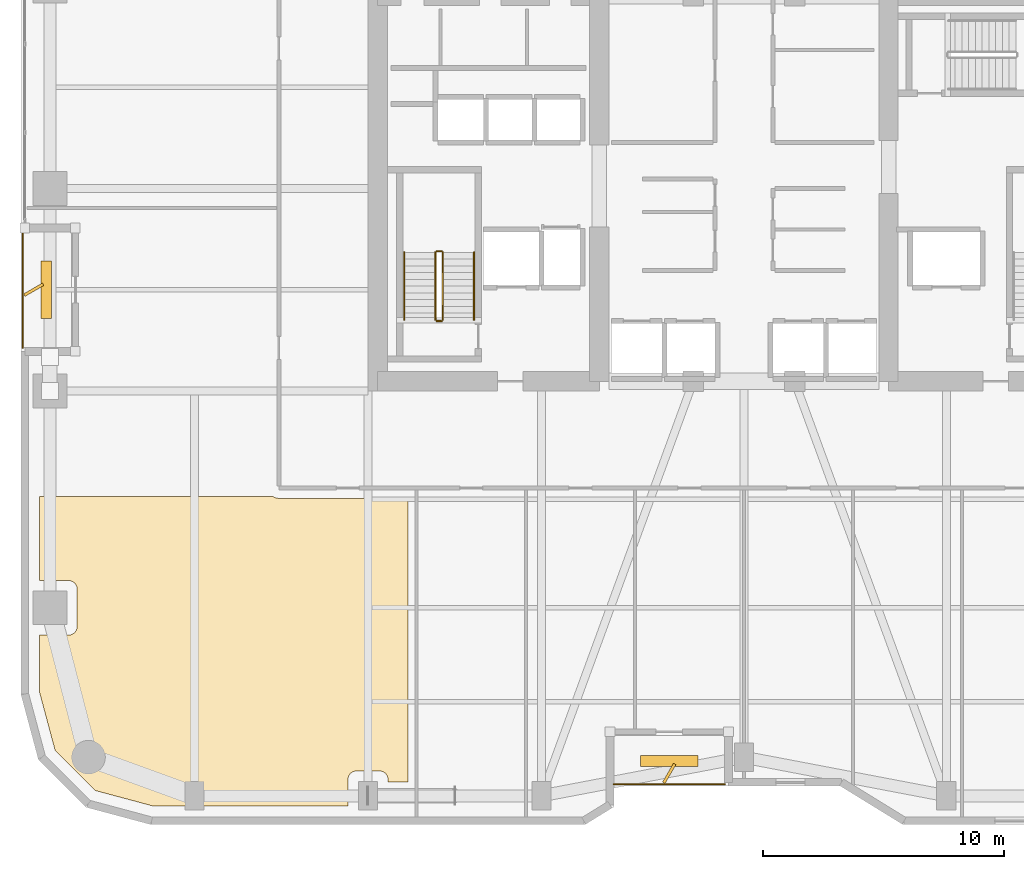
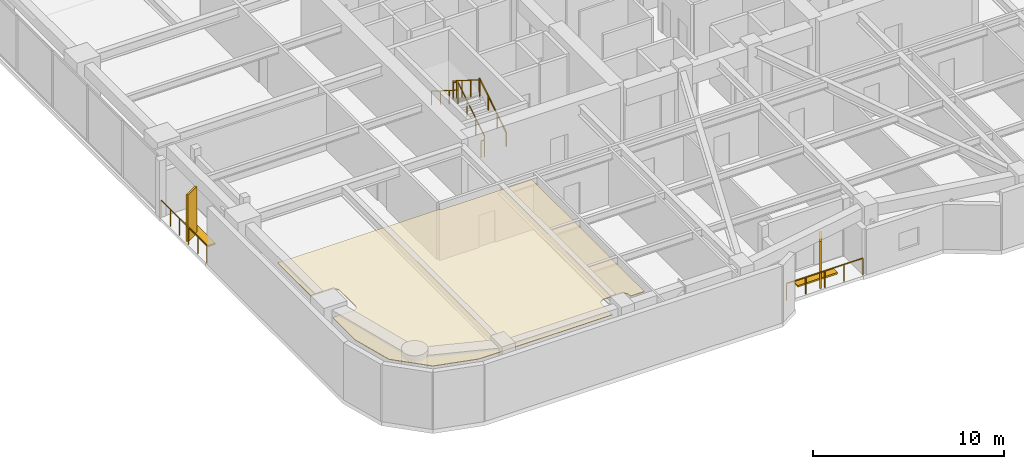
# One storey, part 22 of 24: 8 railings, 4 shading devices, 1 covering.
"""IFC4 building model written with IfcOpenShell, lengths in metres."""

import ifcopenshell
import ifcopenshell.guid

model = None  # the IFC model being written
_history = None  # IfcOwnerHistory: only IFC2X3 demands one
_inside = {}  # id of a spatial element -> (the spatial element, [elements in it])
_under = {}  # id of a project, library or spatial element -> (it, [spatial elements below it])
_declared = {}  # id of a project -> (the project, [libraries it declares])
_typed = {}  # id of a type object -> (the type object, [elements of that type])
_made_of = {}  # id of a material, layer set ... -> (it, [elements and type objects made of it])


def new_model(schema):
    """Start an empty IFC model of exactly this schema.

    Asked for "IFC4X3", IfcOpenShell would pick the latest addendum, in which some entities
    have other attributes; the version numbers below select the first issue.
    IFC2X3 requires an IfcOwnerHistory on every rooted entity: one is made here for all.
    """
    global model, _history
    if schema == "IFC4X3":
        model = ifcopenshell.file(schema_version=(4, 3, 0, 0))
    else:
        model = ifcopenshell.file(schema=schema)
    _inside.clear()
    _under.clear()
    _declared.clear()
    _typed.clear()
    _made_of.clear()
    _history = None
    if model.schema == "IFC2X3":
        org = make("IfcOrganization", Name="unknown")
        user = make(
            "IfcPersonAndOrganization",
            ThePerson=make("IfcPerson", FamilyName="unknown"),
            TheOrganization=org,
        )
        app = make(
            "IfcApplication",
            ApplicationDeveloper=org,
            Version="unknown",
            ApplicationFullName="unknown",
            ApplicationIdentifier="unknown",
        )
        _history = make(
            "IfcOwnerHistory",
            OwningUser=user,
            OwningApplication=app,
            ChangeAction="ADDED",
            CreationDate=0,
        )
    return model


def make(cls, **values):
    """One entity of the class cls with the attributes given. An attribute that is None is left unset."""
    return model.create_entity(
        cls, **{name: value for name, value in values.items() if value is not None}
    )


def rooted(cls, **values):
    """An entity with a GlobalId (a new one), such as an element, a storey or a relation."""
    return make(cls, GlobalId=ifcopenshell.guid.new(), OwnerHistory=_history, **values)


def si_unit(unit_type, name, prefix=None):
    """IfcSIUnit, for example si_unit("LENGTHUNIT", "METRE", prefix="MILLI")."""
    return make("IfcSIUnit", UnitType=unit_type, Prefix=prefix, Name=name)


def assignment(units):
    """IfcUnitAssignment: the units of a project."""
    return None if units is None else make("IfcUnitAssignment", Units=units)


def point(xyz):
    """IfcCartesianPoint."""
    return None if xyz is None else make("IfcCartesianPoint", Coordinates=xyz)


def direction(xyz):
    """IfcDirection."""
    return None if xyz is None else make("IfcDirection", DirectionRatios=xyz)


def frame(location, z_axis=None, x_axis=None):
    """IfcAxis2Placement3D, a coordinate frame: its origin and axes. An axis left out is left unset."""
    return make(
        "IfcAxis2Placement3D",
        Location=point(location),
        Axis=direction(z_axis),
        RefDirection=direction(x_axis),
    )


def frame_2d(location, x_axis=None):
    """IfcAxis2Placement2D, a coordinate frame in the plane: its origin and x axis."""
    return make(
        "IfcAxis2Placement2D", Location=point(location), RefDirection=direction(x_axis)
    )


def origin():
    """The frame at (0, 0, 0) with its axes left unset."""
    return frame((0.0, 0.0, 0.0))


def origin_2d():
    """The frame at (0, 0) in the plane with its x axis left unset."""
    return frame_2d((0.0, 0.0))


def place(relative_to, where):
    """IfcLocalPlacement: puts the frame where relative to a parent placement (None: the world)."""
    return make(
        "IfcLocalPlacement", PlacementRelTo=relative_to, RelativePlacement=where
    )


def context(
    kind, dimensions, precision=None, world=None, true_north=None, identifier=None
):
    """IfcGeometricRepresentationContext, for example the 3D "Model" context."""
    return make(
        "IfcGeometricRepresentationContext",
        ContextIdentifier=identifier,
        ContextType=kind,
        CoordinateSpaceDimension=dimensions,
        Precision=precision,
        WorldCoordinateSystem=world,
        TrueNorth=true_north,
    )


def subcontext(parent, identifier, kind, view, scale=None):
    """IfcGeometricRepresentationSubContext, for example "Body" below "Model"."""
    return make(
        "IfcGeometricRepresentationSubContext",
        ContextIdentifier=identifier,
        ContextType=kind,
        ParentContext=parent,
        TargetScale=scale,
        TargetView=view,
    )


def project(units=None, contexts=None):
    """IfcProject with its units and contexts."""
    return rooted(
        "IfcProject",
        Name="project",
        RepresentationContexts=contexts,
        UnitsInContext=assignment(units),
    )


def spatial(cls, under=None, at=None, **own):
    """A site, building, storey or space (cls), placed at a placement, below another one or the project."""
    s = rooted(cls, ObjectPlacement=at, **own)
    if under is not None:
        _under.setdefault(under.id(), (under, []))[1].append(s)
    return s


def polyline(points):
    """IfcPolyline through the points."""
    return make("IfcPolyline", Points=[point(p) for p in points])


def profile(cls, at=None, kind="AREA", **sizes):
    """A parametric profile (cls). Its sizes go by their IFC names, for example OverallWidth=200.0."""
    return make(cls, ProfileType=kind, Position=at, **sizes)


def rectangle(**sizes):
    """IfcRectangleProfileDef."""
    return profile("IfcRectangleProfileDef", **sizes)


def outline(outer, holes=None, kind="AREA"):
    """IfcArbitraryClosedProfileDef: a profile drawn as a closed curve; with holes, ...WithVoids."""
    if holes is None:
        return make("IfcArbitraryClosedProfileDef", ProfileType=kind, OuterCurve=outer)
    return make(
        "IfcArbitraryProfileDefWithVoids",
        ProfileType=kind,
        OuterCurve=outer,
        InnerCurves=holes,
    )


def extrude(swept, where, along, depth):
    """IfcExtrudedAreaSolid: the profile swept, set in the frame where, extruded along a direction by depth."""
    return make(
        "IfcExtrudedAreaSolid",
        SweptArea=swept,
        Position=where,
        ExtrudedDirection=direction(along),
        Depth=depth,
    )


def shape(context_of_items, identifier, shape_type, items):
    """IfcShapeRepresentation: the items that make up one representation, for example the "Body"."""
    return make(
        "IfcShapeRepresentation",
        ContextOfItems=context_of_items,
        RepresentationIdentifier=identifier,
        RepresentationType=shape_type,
        Items=items,
    )


def material(Name=None, Category=None):
    """IfcMaterial."""
    return make("IfcMaterial", Name=Name, Category=Category)


def layer(
    of_material, thickness, ventilated=None, Name=None, Category=None, Priority=None
):
    """IfcMaterialLayer: one layer of a wall or slab, of a material (None: an air gap)."""
    return make(
        "IfcMaterialLayer",
        Material=of_material,
        LayerThickness=thickness,
        IsVentilated=ventilated,
        Name=Name,
        Category=Category,
        Priority=Priority,
    )


def layer_set(layers, Name=None):
    """IfcMaterialLayerSet."""
    return make("IfcMaterialLayerSet", MaterialLayers=layers, LayerSetName=Name)


def made_of(thing, what):
    """Note that an element or type object is made of a material, layer set ...; save() writes the relation."""
    if what is not None:
        _made_of.setdefault(what.id(), (what, []))[1].append(thing)
    return thing


def type_object(cls, material=None, **own):
    """A type object (cls), such as IfcWallType, which elements share."""
    return made_of(rooted(cls, **own), material)


def element(
    cls,
    number,
    at=None,
    inside=None,
    cuts=None,
    type_object=None,
    material=None,
    context=None,
    identifier="Body",
    shape_type=None,
    held_by="IfcProductDefinitionShape",
    body=None,
    shapes=None,
    **own,
):
    """One element of the class cls, such as IfcWall. Its Tag is "e" and its number.

    at: its placement. inside: the storey or other place that contains it. cuts: it is an
    opening in that element (IfcRelVoidsElement). A single representation is given by context,
    identifier, shape_type and body (its items); several are given by shapes. held_by: the class
    of the entity that holds the representations. save() writes the other relations.
    """
    e = rooted(cls, Tag="e%d" % number, ObjectPlacement=at, **own)
    if body is not None:
        shapes = [shape(context, identifier, shape_type, body)]
    if shapes is not None:
        e.Representation = make(held_by, Representations=shapes)
    if inside is not None:
        _inside.setdefault(inside.id(), (inside, []))[1].append(e)
    if cuts is not None:
        rooted(
            "IfcRelVoidsElement", RelatingBuildingElement=cuts, RelatedOpeningElement=e
        )
    if type_object is not None:
        _typed.setdefault(type_object.id(), (type_object, []))[1].append(e)
    return made_of(e, material)


def aggregate(whole, parts):
    """IfcRelAggregates: a whole, such as a stair, and the parts it consists of."""
    return rooted("IfcRelAggregates", RelatingObject=whole, RelatedObjects=parts)


def save(model, path):
    """Write the relations noted so far, then the file.

    IfcRelAggregates (storeys below a building ...), IfcRelContainedInSpatialStructure (elements
    in a storey), IfcRelDefinesByType, IfcRelAssociatesMaterial and IfcRelDeclares: one each for
    every whole, place, type object, material and project.
    """
    for whole, parts in _under.values():
        aggregate(whole, parts)
    for where, things in _inside.values():
        rooted(
            "IfcRelContainedInSpatialStructure",
            RelatedElements=things,
            RelatingStructure=where,
        )
    for kind, things in _typed.values():
        rooted("IfcRelDefinesByType", RelatedObjects=things, RelatingType=kind)
    for what, things in _made_of.values():
        rooted("IfcRelAssociatesMaterial", RelatedObjects=things, RelatingMaterial=what)
    for by, libraries in _declared.values():
        rooted("IfcRelDeclares", RelatingContext=by, RelatedDefinitions=libraries)
    model.write(path)


model = new_model("IFC4")

# Units and contexts
model_context = context("Model", 3, precision=1e-05, world=origin(), true_north=direction((0.0, 1.0)))
body_context = subcontext(model_context, "Body", "Model", "MODEL_VIEW")
ifc_project = project(units=[si_unit("LENGTHUNIT", "METRE"), si_unit("AREAUNIT", "SQUARE_METRE"), si_unit("VOLUMEUNIT", "CUBIC_METRE"), si_unit("PLANEANGLEUNIT", "RADIAN"), si_unit("MASSUNIT", "GRAM", prefix="KILO")], contexts=[model_context])

# Site, building, storey
site_placement = place(None, origin())
site = spatial("IfcSite", under=ifc_project, at=site_placement, CompositionType="ELEMENT")
building_placement = place(site_placement, origin())
building = spatial("IfcBuilding", under=site, at=building_placement, Name="Kiyonajd Concourse Tower", CompositionType="ELEMENT")
storey_placement = place(building_placement, frame((0.0, 0.0, 109.199951171875)))
storey = spatial("IfcBuildingStorey", under=building, at=storey_placement, Name="L28", CompositionType="ELEMENT", Elevation=109.199951171875)

# Covering
ifc_material_1 = material(Name="Natural Oak Acoustic Timber Veneer", Category="wood")
ifc_layer = layer(ifc_material_1, 0.0400390625)
ifc_layer_set = layer_set([ifc_layer], Name="Natural Oak Acoustic Timber Veneer")
covering_type = type_object("IfcCoveringType", Name="CV-CLG-ACST", PredefinedType="CEILING", material=ifc_layer_set)
covering_placement = place(storey_placement, frame((0.0, 0.0, 3.4599609375)))
element("IfcCovering", 1, at=covering_placement, inside=storey, type_object=covering_type, Name="L28-41 Room Acoustic Ceiling", PredefinedType="CEILING", context=body_context, shape_type="SweptSolid", body=[
    extrude(outline(polyline([(19.4140625, 12.697998046875), (18.77001953125, 15.10107421875), (18.77001953125, 17.469970703125), (20.013916015625, 17.471923828125), (20.08203125, 17.485107421875), (20.14501953125, 17.510986328125), (20.201904296875, 17.549072265625), (20.2509765625, 17.597900390625), (20.2890625, 17.655029296875), (20.31494140625, 17.718017578125), (20.330078125, 17.820068359375), (20.327880859375, 19.4140625), (20.31494140625, 19.48193359375), (20.2890625, 19.544921875), (20.22705078125, 19.626953125), (20.14501953125, 19.68896484375), (20.048095703125, 19.722900390625), (19.97998046875, 19.72998046875), (18.77001953125, 19.72998046875), (18.77001953125, 23.219970703125), (28.451904296875, 23.219970703125), (28.507080078125, 23.18603515625), (28.570068359375, 23.159912109375), (28.699951171875, 23.139892578125), (34.070068359375, 23.139892578125), (34.070068359375, 11.3701171875), (33.22998046875, 11.3701171875), (33.222900390625, 11.548095703125), (33.202880859375, 11.614013671875), (33.1708984375, 11.674072265625), (33.126953125, 11.72705078125), (33.073974609375, 11.77099609375), (33.013916015625, 11.802978515625), (32.947998046875, 11.822998046875), (32.8798828125, 11.830078125), (31.919921875, 11.830078125), (31.85205078125, 11.822998046875), (31.785888671875, 11.802978515625), (31.697998046875, 11.7509765625), (31.64892578125, 11.701904296875), (31.611083984375, 11.64501953125), (31.576904296875, 11.548095703125), (31.570068359375, 11.47998046875), (31.570068359375, 10.3701171875), (23.5009765625, 10.3701171875), (21.097900390625, 11.013916015625), (19.4140625, 12.697998046875)])), origin(), (0.0, 0.0, 1.0), 0.0400390625),
])

# Railings
ifc_material_2 = material(Name="Thermally Broken Anodised Aluminium", Category="aluminium")
railing_type_1 = type_object("IfcRailingType", Name="RL-GRD-LOG", PredefinedType="GUARDRAIL", material=ifc_material_2)
railing_1_placement = place(storey_placement, frame((42.60009765625, 11.280029296875, 0.0)))
element("IfcRailing", 2, at=railing_1_placement, inside=storey, type_object=railing_type_1, Name="L28 Engawa Loggia Perimeter Guard LOG-S", PredefinedType="GUARDRAIL", context=body_context, shape_type="SweptSolid", body=[
    extrude(rectangle(XDim=0.048095703125, YDim=0.048095703125, at=origin_2d()), frame((0.0, 0.0, 1.076171875), z_axis=(1.0, 0.0, 0.0), x_axis=(0.0, 1.0, 0.0)), (0.0, 0.0, 1.0), 4.599853515625),
    extrude(rectangle(XDim=0.0419921875, YDim=0.0419921875, at=origin_2d()), origin(), (0.0, 0.0, 1.0), 1.052001953125),
    extrude(rectangle(XDim=0.0419921875, YDim=0.0419921875, at=origin_2d()), frame((1.14990234375, 0.0, 0.0)), (0.0, 0.0, 1.0), 1.052001953125),
    extrude(rectangle(XDim=0.0419921875, YDim=0.0419921875, at=origin_2d()), frame((2.2998046875, 0.0, 0.0)), (0.0, 0.0, 1.0), 1.052001953125),
    extrude(rectangle(XDim=0.0419921875, YDim=0.0419921875, at=origin_2d()), frame((3.449951171875, 0.0, 0.0)), (0.0, 0.0, 1.0), 1.052001953125),
    extrude(rectangle(XDim=0.0419921875, YDim=0.0419921875, at=origin_2d()), frame((4.599853515625, 0.0, 0.0)), (0.0, 0.0, 1.0), 1.052001953125),
])
railing_2_placement = place(storey_placement, frame((18.080078125, 34.199951171875, 0.0)))
element("IfcRailing", 3, at=railing_2_placement, inside=storey, type_object=railing_type_1, Name="L28 Engawa Loggia Perimeter Guard LOG-W", PredefinedType="GUARDRAIL", context=body_context, shape_type="SweptSolid", body=[
    extrude(rectangle(XDim=0.048095703125, YDim=0.048095703125, at=origin_2d()), frame((0.0, 0.0, 1.076171875), z_axis=(0.0, -1.0, 0.0), x_axis=(1.0, 0.0, 0.0)), (0.0, 0.0, 1.0), 4.800048828125),
    extrude(rectangle(XDim=0.0419921875, YDim=0.0419921875, at=origin_2d()), origin(), (0.0, 0.0, 1.0), 1.052001953125),
    extrude(rectangle(XDim=0.0419921875, YDim=0.0419921875, at=origin_2d()), frame((0.0, -0.9599609375, 0.0)), (0.0, 0.0, 1.0), 1.052001953125),
    extrude(rectangle(XDim=0.0419921875, YDim=0.0419921875, at=origin_2d()), frame((0.0, -1.919921875, 0.0)), (0.0, 0.0, 1.0), 1.052001953125),
    extrude(rectangle(XDim=0.0419921875, YDim=0.0419921875, at=origin_2d()), frame((0.0, -2.880126953125, 0.0)), (0.0, 0.0, 1.0), 1.052001953125),
    extrude(rectangle(XDim=0.0419921875, YDim=0.0419921875, at=origin_2d()), frame((0.0, -3.840087890625, 0.0)), (0.0, 0.0, 1.0), 1.052001953125),
    extrude(rectangle(XDim=0.0419921875, YDim=0.0419921875, at=origin_2d()), frame((0.0, -4.800048828125, 0.0)), (0.0, 0.0, 1.0), 1.052001953125),
])
ifc_material_3 = material(Name="Steel ASTM A500 Grade C", Category="steel")
railing_type_2 = type_object("IfcRailingType", Name="RL-GRD-STR", PredefinedType="GUARDRAIL", material=ifc_material_3)
railing_3_placement = place(storey_placement, frame((35.5, 30.550048828125, 0.17724609375)))
element("IfcRailing", 4, at=railing_3_placement, inside=storey, type_object=railing_type_2, Name="L28 ST1 stair guard 1", PredefinedType="GUARDRAIL", context=body_context, shape_type="SweptSolid", body=[
    extrude(rectangle(XDim=0.048095703125, YDim=0.048095703125, at=origin_2d()), frame((0.0, 0.0, 1.076171875), z_axis=(0.0, 0.844908973607, 0.534910110503), x_axis=(-1.0, 0.0, 0.0)), (0.0, 0.0, 1.0), 3.31396484375),
    extrude(rectangle(XDim=0.0419921875, YDim=0.0419921875, at=origin_2d()), origin(), (0.0, 0.0, 1.0), 1.052001953125),
    extrude(rectangle(XDim=0.0419921875, YDim=0.0419921875, at=origin_2d()), frame((0.0, 0.933349609375, 0.5908203125)), (0.0, 0.0, 1.0), 1.052001953125),
    extrude(rectangle(XDim=0.0419921875, YDim=0.0419921875, at=origin_2d()), frame((0.0, 1.86669921875, 1.181884765625)), (0.0, 0.0, 1.0), 1.052001953125),
    extrude(rectangle(XDim=0.0419921875, YDim=0.0419921875, at=origin_2d()), frame((0.0, 2.800048828125, 1.772705078125)), (0.0, 0.0, 1.0), 1.052001953125),
])
railing_4_placement = place(storey_placement, frame((35.449951171875, 33.39990234375, 1.949951171875)))
element("IfcRailing", 5, at=railing_4_placement, inside=storey, type_object=railing_type_2, Name="L28 ST1 stair guard 2", PredefinedType="GUARDRAIL", context=body_context, shape_type="SweptSolid", body=[
    extrude(rectangle(XDim=0.048095703125, YDim=0.048095703125, at=origin_2d()), frame((0.0, 0.0, 1.076171875), z_axis=(-1.0, 0.0, 0.0), x_axis=(0.0, -1.0, 0.0)), (0.0, 0.0, 1.0), 0.199951171875),
    extrude(rectangle(XDim=0.0419921875, YDim=0.0419921875, at=origin_2d()), origin(), (0.0, 0.0, 1.0), 1.052001953125),
    extrude(rectangle(XDim=0.0419921875, YDim=0.0419921875, at=origin_2d()), frame((-0.199951171875, 0.0, 0.0)), (0.0, 0.0, 1.0), 1.052001953125),
])
railing_5_placement = place(storey_placement, frame((35.199951171875, 33.35009765625, 2.12744140625)))
element("IfcRailing", 6, at=railing_5_placement, inside=storey, type_object=railing_type_2, Name="L28 ST1 stair guard 3", PredefinedType="GUARDRAIL", context=body_context, shape_type="SweptSolid", body=[
    extrude(rectangle(XDim=0.048095703125, YDim=0.048095703125, at=origin_2d()), frame((0.0, 0.0, 1.076171875), z_axis=(0.0, -0.844908973607, 0.534910110503), x_axis=(1.0, 0.0, 0.0)), (0.0, 0.0, 1.0), 3.31396484375),
    extrude(rectangle(XDim=0.0419921875, YDim=0.0419921875, at=origin_2d()), origin(), (0.0, 0.0, 1.0), 1.052001953125),
    extrude(rectangle(XDim=0.0419921875, YDim=0.0419921875, at=origin_2d()), frame((0.0, -0.933349609375, 0.5908203125)), (0.0, 0.0, 1.0), 1.052001953125),
    extrude(rectangle(XDim=0.0419921875, YDim=0.0419921875, at=origin_2d()), frame((0.0, -1.86669921875, 1.181884765625)), (0.0, 0.0, 1.0), 1.052001953125),
    extrude(rectangle(XDim=0.0419921875, YDim=0.0419921875, at=origin_2d()), frame((0.0, -2.800048828125, 1.772705078125)), (0.0, 0.0, 1.0), 1.052001953125),
])
railing_6_placement = place(storey_placement, frame((35.449951171875, 30.5, 0.0)))
element("IfcRailing", 7, at=railing_6_placement, inside=storey, type_object=railing_type_2, Name="L28 ST1 stair guard 4", PredefinedType="GUARDRAIL", context=body_context, shape_type="SweptSolid", body=[
    extrude(rectangle(XDim=0.048095703125, YDim=0.048095703125, at=origin_2d()), frame((0.0, 0.0, 1.076171875), z_axis=(-1.0, 0.0, 0.0), x_axis=(0.0, -1.0, 0.0)), (0.0, 0.0, 1.0), 0.199951171875),
    extrude(rectangle(XDim=0.0419921875, YDim=0.0419921875, at=origin_2d()), origin(), (0.0, 0.0, 1.0), 1.052001953125),
    extrude(rectangle(XDim=0.0419921875, YDim=0.0419921875, at=origin_2d()), frame((-0.199951171875, 0.0, 0.0)), (0.0, 0.0, 1.0), 1.052001953125),
])
ifc_material_4 = material(Name="Brushed Stainless Steel Cab Assembly", Category="steel")
railing_type_3 = type_object("IfcRailingType", Name="RL-HND-900", PredefinedType="HANDRAIL", material=ifc_material_4)
railing_7_placement = place(storey_placement, frame((36.800048828125, 30.550048828125, 0.17724609375)))
element("IfcRailing", 8, at=railing_7_placement, inside=storey, type_object=railing_type_3, Name="L28 ST1 stair handrail 1", PredefinedType="HANDRAIL", context=body_context, shape_type="SweptSolid", body=[
    extrude(rectangle(XDim=0.048095703125, YDim=0.048095703125, at=origin_2d()), frame((0.0, 0.0, 0.8759765625), z_axis=(0.0, 0.844908973607, 0.534910110503), x_axis=(-1.0, 0.0, 0.0)), (0.0, 0.0, 1.0), 3.31396484375),
    extrude(rectangle(XDim=0.0419921875, YDim=0.0419921875, at=origin_2d()), origin(), (0.0, 0.0, 1.0), 0.851806640625),
    extrude(rectangle(XDim=0.0419921875, YDim=0.0419921875, at=origin_2d()), frame((0.0, 0.933349609375, 0.5908203125)), (0.0, 0.0, 1.0), 0.851806640625),
    extrude(rectangle(XDim=0.0419921875, YDim=0.0419921875, at=origin_2d()), frame((0.0, 1.86669921875, 1.181884765625)), (0.0, 0.0, 1.0), 0.851806640625),
    extrude(rectangle(XDim=0.0419921875, YDim=0.0419921875, at=origin_2d()), frame((0.0, 2.800048828125, 1.772705078125)), (0.0, 0.0, 1.0), 0.851806640625),
])
railing_8_placement = place(storey_placement, frame((33.89990234375, 33.35009765625, 2.12744140625)))
element("IfcRailing", 9, at=railing_8_placement, inside=storey, type_object=railing_type_3, Name="L28 ST1 stair handrail 2", PredefinedType="HANDRAIL", context=body_context, shape_type="SweptSolid", body=[
    extrude(rectangle(XDim=0.048095703125, YDim=0.048095703125, at=origin_2d()), frame((0.0, 0.0, 0.8759765625), z_axis=(0.0, -0.844908973607, 0.534910110503), x_axis=(1.0, 0.0, 0.0)), (0.0, 0.0, 1.0), 3.31396484375),
    extrude(rectangle(XDim=0.0419921875, YDim=0.0419921875, at=origin_2d()), origin(), (0.0, 0.0, 1.0), 0.851806640625),
    extrude(rectangle(XDim=0.0419921875, YDim=0.0419921875, at=origin_2d()), frame((0.0, -0.933349609375, 0.5908203125)), (0.0, 0.0, 1.0), 0.851806640625),
    extrude(rectangle(XDim=0.0419921875, YDim=0.0419921875, at=origin_2d()), frame((0.0, -1.86669921875, 1.181884765625)), (0.0, 0.0, 1.0), 0.851806640625),
    extrude(rectangle(XDim=0.0419921875, YDim=0.0419921875, at=origin_2d()), frame((0.0, -2.800048828125, 1.772705078125)), (0.0, 0.0, 1.0), 0.851806640625),
])

# Shading devices
ifc_material_5 = material(Name="Precast concrete C50/60", Category="concrete")
shading_device_type_1 = type_object("IfcShadingDeviceType", Name="SH-FIN-900", PredefinedType="USERDEFINED", material=ifc_material_5)
for number, where, z_axis, x_axis, name in (
    (10, (44.89990234375, 11.72998046875, 0.0), (0.0, 0.0, 1.0), (0.5, 0.866025403784, 0.0), "L28 Angled Koshi Solar Fin LOG-S"),
    (11, (18.530029296875, 31.800048828125, 0.0), (0.0, 0.0, 1.0), (0.866025403784, 0.5, 0.0), "L28 Angled Koshi Solar Fin LOG-W"),
):
    element("IfcShadingDevice", number, at=place(storey_placement, frame(where, z_axis=z_axis, x_axis=x_axis)), inside=storey, type_object=shading_device_type_1, Name=name, ObjectType="FIN", PredefinedType="USERDEFINED", context=body_context, shape_type="SweptSolid", body=[
        extrude(rectangle(XDim=0.89990234375, YDim=0.1201171875, at=origin_2d()), origin(), (0.0, 0.0, 1.0), 3.0),
    ])
shading_device_type_2 = type_object("IfcShadingDeviceType", Name="SH-LVR-600", PredefinedType="JALOUSIE", material=ifc_material_2)
for number, where, z_axis, x_axis, name in (
    (12, (44.89990234375, 12.25, 0.0), (0.0, 0.0, 1.0), (1.0, 0.0, 0.0), "L28 Loggia Threshold Louver LOG-S"),
    (13, (19.050048828125, 31.800048828125, 0.0), (0.0, 0.0, 1.0), (0.0, 1.0, 0.0), "L28 Loggia Threshold Louver LOG-W"),
):
    element("IfcShadingDevice", number, at=place(storey_placement, frame(where, z_axis=z_axis, x_axis=x_axis)), inside=storey, type_object=shading_device_type_2, Name=name, PredefinedType="JALOUSIE", context=body_context, shape_type="SweptSolid", body=[
        extrude(rectangle(XDim=2.39990234375, YDim=0.449951171875, at=origin_2d()), origin(), (0.0, 0.0, 1.0), 0.10009765625),
    ])

save(model, "model.ifc")
